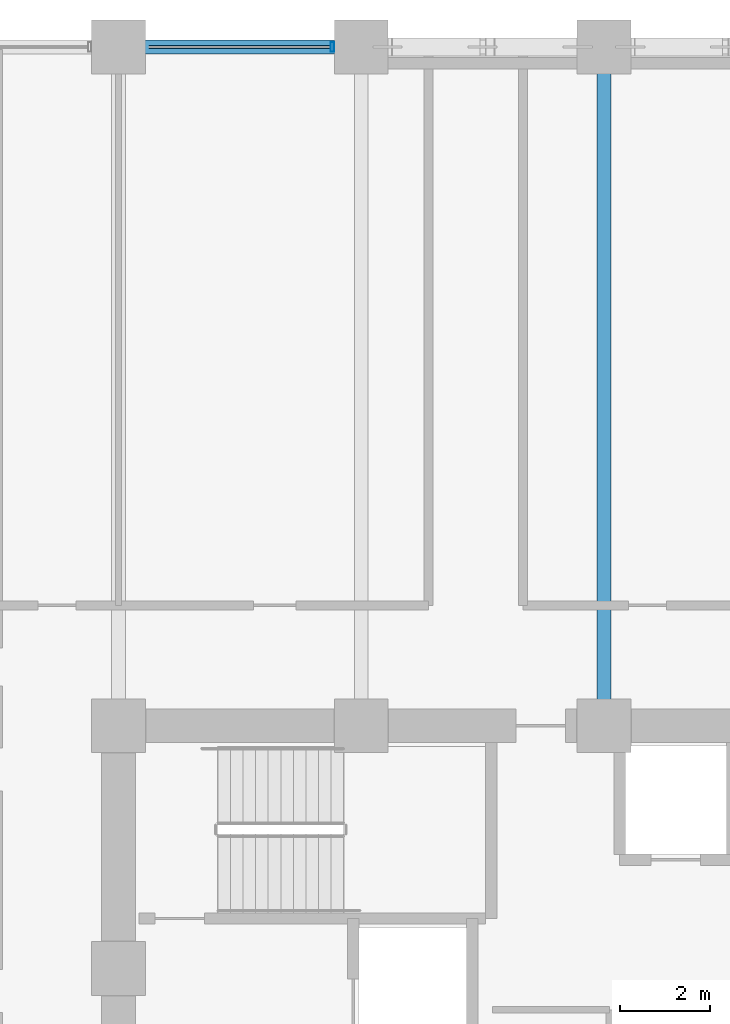
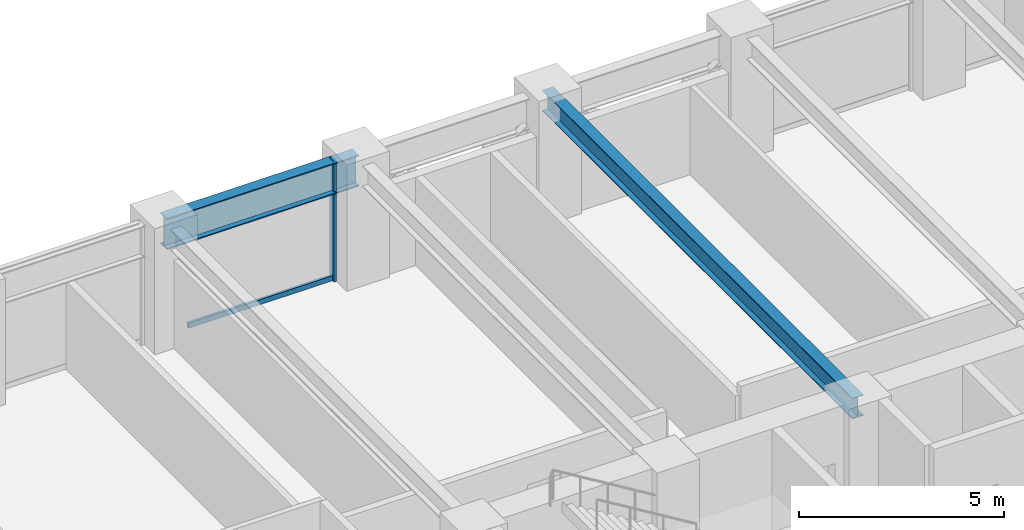
# One storey, part 12 of 26: 2 beams, 2 members, 1 element without a shape of its own.
"""IFC4 building model written with IfcOpenShell, lengths in metres."""

from ifc_helpers import new_model, si_unit, direction, frame, origin, origin_2d, place, context, subcontext, project, spatial, hollow_rectangle, i_section, extrude, material, layer, layer_set, material_profile, profile_set, type_object, element, aggregate, save


model = new_model("IFC4")

# Units and contexts
model_context = context("Model", 3, precision=1e-05, world=origin(), true_north=direction((0.0, 1.0)))
body_context = subcontext(model_context, "Body", "Model", "MODEL_VIEW")
ifc_project = project(units=[si_unit("LENGTHUNIT", "METRE"), si_unit("AREAUNIT", "SQUARE_METRE"), si_unit("VOLUMEUNIT", "CUBIC_METRE"), si_unit("PLANEANGLEUNIT", "RADIAN"), si_unit("MASSUNIT", "GRAM", prefix="KILO")], contexts=[model_context])

# Site, building, storey
site_placement = place(None, origin())
site = spatial("IfcSite", under=ifc_project, at=site_placement, CompositionType="ELEMENT")
building_placement = place(site_placement, origin())
building = spatial("IfcBuilding", under=site, at=building_placement, Name="Surkhivell Harbour Commons", CompositionType="ELEMENT")
storey_placement = place(building_placement, frame((0.0, 0.0, 71.25)))
storey = spatial("IfcBuildingStorey", under=building, at=storey_placement, Name="L18", CompositionType="ELEMENT", Elevation=71.25)

# Beams
ifc_material_1 = material(Name="Steel S355", Category="steel")
ifc_material_profile_1 = material_profile(ifc_material_1, i_section(OverallWidth=0.306884765625, OverallDepth=0.6201171875, WebThickness=0.01416015625, FlangeThickness=0.023681640625, at=origin_2d()), Name="UB610x305x179")
ifc_profile_set_1 = profile_set([ifc_material_profile_1], Name="Steel S355")
beam_type_1 = type_object("IfcBeamType", Name="BM-GRD-610A", PredefinedType="BEAM", material=ifc_profile_set_1)
beam_1_placement = place(storey_placement, frame((0.0, 10.800048828125, 3.260009765625), z_axis=(0.0, 1.0, 0.0), x_axis=(-1.0, 0.0, 0.0)))
element("IfcBeam", 1, at=beam_1_placement, inside=storey, type_object=beam_type_1, Name="L18 Floor Girder (0.0,10.8)", PredefinedType="BEAM", context=body_context, shape_type="SweptSolid", body=[
    extrude(i_section(OverallWidth=0.306884765625, OverallDepth=0.6201171875, WebThickness=0.01416015625, FlangeThickness=0.023681640625, at=origin_2d()), origin(), (0.0, 0.0, 1.0), 15.099853515625),
])
ifc_material_2 = material(Name="Steel S460", Category="steel")
ifc_material_profile_2 = material_profile(ifc_material_2, i_section(OverallWidth=0.30810546875, OverallDepth=0.927001953125, WebThickness=0.01953125, FlangeThickness=0.031982421875, at=origin_2d()), Name="UB914x305x289")
ifc_profile_set_2 = profile_set([ifc_material_profile_2], Name="Steel S460")
beam_type_2 = type_object("IfcBeamType", Name="BM-SPN-914B", PredefinedType="SPANDREL", material=ifc_profile_set_2)
beam_2_placement = place(storey_placement, frame((-10.800048828125, 25.89990234375, 3.1064453125), z_axis=(1.0, 0.0, 0.0), x_axis=(0.0, 1.0, 0.0)))
element("IfcBeam", 2, at=beam_2_placement, inside=storey, type_object=beam_type_2, Name="L18 Tube Spandrel (-10.8,25.9)", PredefinedType="SPANDREL", context=body_context, shape_type="SweptSolid", body=[
    extrude(i_section(OverallWidth=0.30810546875, OverallDepth=0.927001953125, WebThickness=0.01953125, FlangeThickness=0.031982421875, at=origin_2d()), origin(), (0.0, 0.0, 1.0), 5.400146484375),
])

# Curtain wall, members
ifc_material_3 = material(Name="Anodised pale-metal aluminium and insulated glazing", Category="aluminium")
ifc_layer = layer(ifc_material_3, 0.219970703125)
ifc_layer_set = layer_set([ifc_layer], Name="Anodised pale-metal aluminium and insulated glazing")
curtain_wall_type = type_object("IfcCurtainWallType", Name="CW-SYS-Z1", PredefinedType="NOTDEFINED", material=ifc_layer_set)
curtain_wall_placement = place(storey_placement, origin())
curtain_wall = element("IfcCurtainWall", 3, at=curtain_wall_placement, inside=storey, type_object=curtain_wall_type, Name="L18 Curtain Wall CW-L18-E07S2", PredefinedType="NOTDEFINED")
ifc_material_4 = material(Name="Anodised pale-metal aluminium alloy 6063-T6", Category="aluminium")
ifc_material_profile_3 = material_profile(ifc_material_4, hollow_rectangle(XDim=0.074951171875, YDim=0.219970703125, WallThickness=0.00390625, at=origin_2d()), Name="ALU-MULL-75x220")
ifc_profile_set_3 = profile_set([ifc_material_profile_3], Name="Anodised pale-metal aluminium alloy 6063-T6")
member_type_1 = type_object("IfcMemberType", Name="CWM-220", PredefinedType="MULLION", material=ifc_profile_set_3)
member_1_placement = place(storey_placement, frame((-6.03955078125, 25.89990234375, 0.0), z_axis=(0.0, 0.0, 1.0), x_axis=(-1.0, 0.0, 0.0)))
member_1 = element("IfcMember", 4, at=member_1_placement, type_object=member_type_1, Name="CW-Z1 mullion 1", PredefinedType="MULLION", context=body_context, shape_type="SweptSolid", body=[
    extrude(hollow_rectangle(XDim=0.074951171875, YDim=0.219970703125, WallThickness=0.00390625, at=origin_2d()), origin(), (0.0, 0.0, 1.0), 3.570068359375),
])
ifc_material_profile_4 = material_profile(ifc_material_4, hollow_rectangle(XDim=0.074951171875, YDim=0.14990234375, WallThickness=0.00341796875, at=origin_2d()), Name="ALU-TRAN-75x150")
ifc_profile_set_4 = profile_set([ifc_material_profile_4], Name="Anodised pale-metal aluminium alloy 6063-T6")
member_type_2 = type_object("IfcMemberType", Name="CWT-150", PredefinedType="USERDEFINED", material=ifc_profile_set_4)
member_2_placement = place(storey_placement, frame((-6.076904296875, 25.89990234375, 0.074951171875), z_axis=(-1.0, 0.0, 0.0), x_axis=(0.0, -1.0, 0.0)))
member_2 = element("IfcMember", 5, at=member_2_placement, type_object=member_type_2, Name="CW-Z1 transom 1.1", ObjectType="TRANSOM", PredefinedType="USERDEFINED", context=body_context, shape_type="SweptSolid", body=[
    extrude(hollow_rectangle(XDim=0.074951171875, YDim=0.14990234375, WallThickness=0.00341796875, at=origin_2d()), origin(), (0.0, 0.0, 1.0), 4.046142578125),
])
aggregate(curtain_wall, [member_1, member_2])

save(model, "model.ifc")
